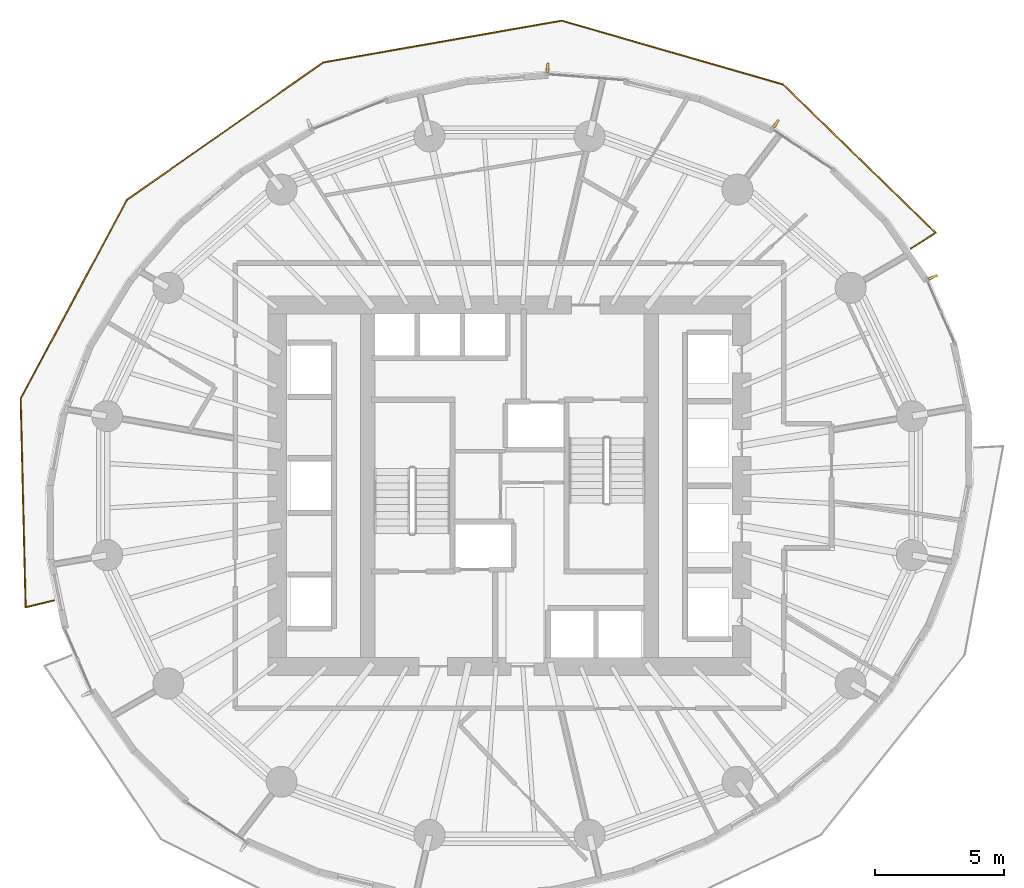
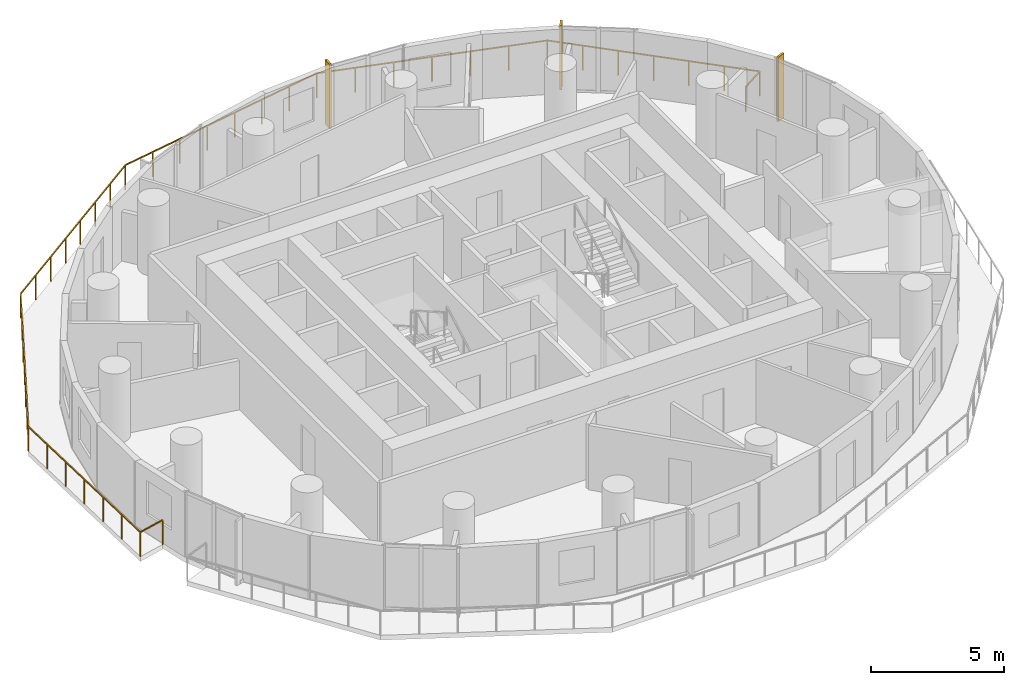
# One storey, part 14 of 14: 3 shading devices, 1 railing.
"""IFC4 building model written with IfcOpenShell, lengths in metres."""

from ifc_helpers import new_model, si_unit, direction, frame, origin, origin_2d, place, context, subcontext, project, spatial, rectangle, extrude, material, layer, layer_set, type_object, element, save


model = new_model("IFC4")

# Units and contexts
model_context = context("Model", 3, precision=1e-05, world=origin(), true_north=direction((0.0, 1.0)))
body_context = subcontext(model_context, "Body", "Model", "MODEL_VIEW")
ifc_project = project(units=[si_unit("LENGTHUNIT", "METRE"), si_unit("AREAUNIT", "SQUARE_METRE"), si_unit("VOLUMEUNIT", "CUBIC_METRE"), si_unit("PLANEANGLEUNIT", "RADIAN"), si_unit("MASSUNIT", "GRAM", prefix="KILO")], contexts=[model_context])

# Site, building, storey
site_placement = place(None, origin())
site = spatial("IfcSite", under=ifc_project, at=site_placement, CompositionType="ELEMENT")
building_placement = place(site_placement, origin())
building = spatial("IfcBuilding", under=site, at=building_placement, Name="Veldorim Arch Residences", CompositionType="ELEMENT")
storey_placement = place(building_placement, frame((0.0, 0.0, 77.280029296875)))
storey = spatial("IfcBuildingStorey", under=building, at=storey_placement, Name="L22", CompositionType="ELEMENT", Elevation=77.280029296875)

# Railing
ifc_material_1 = material(Name="Aluminium", Category="aluminium")
railing_type = type_object("IfcRailingType", Name="Balcony & Terrace Laminated Glass Balustrade 1150", PredefinedType="BALUSTRADE", material=ifc_material_1)
railing_placement = place(storey_placement, frame((47.544677734375, 33.18017578125, 0.0)))
element("IfcRailing", 1, at=railing_placement, inside=storey, type_object=railing_type, Name="L22 crescent balcony safety balustrade A", PredefinedType="BALUSTRADE", context=body_context, shape_type="SweptSolid", body=[
    extrude(rectangle(XDim=0.048095703125, YDim=0.048095703125, at=origin_2d()), frame((0.0, 0.0, 1.1259765625), z_axis=(0.843906173426, 0.536490792515, 0.0), x_axis=(-0.536490792515, 0.843906173426, 0.0)), (0.0, 0.0, 1.0), 1.14990234375),
    extrude(rectangle(XDim=0.048095703125, YDim=0.048095703125, at=origin_2d()), frame((0.970458984375, 0.616943359375, 1.1259765625), z_axis=(-0.716218195239, 0.697876419439, 0.0), x_axis=(-0.697876419439, -0.716218195239, 0.0)), (0.0, 0.0, 1.0), 8.2392578125),
    extrude(rectangle(XDim=0.048095703125, YDim=0.048095703125, at=origin_2d()), frame((-4.9306640625, 6.366943359375, 1.1259765625), z_axis=(-0.960856316669, 0.277047177781, 0.0), x_axis=(-0.277047177781, -0.960856316669, 0.0)), (0.0, 0.0, 1.0), 8.938232421875),
    extrude(rectangle(XDim=0.048095703125, YDim=0.048095703125, at=origin_2d()), frame((-13.51904296875, 8.84326171875, 1.1259765625), z_axis=(-0.985013676891, -0.172476248621, 0.0), x_axis=(0.172476248621, -0.985013676891, 0.0)), (0.0, 0.0, 1.0), 9.384765625),
    extrude(rectangle(XDim=0.048095703125, YDim=0.048095703125, at=origin_2d()), frame((-22.76318359375, 7.224609375, 1.1259765625), z_axis=(-0.819325707742, -0.57332833929, 0.0), x_axis=(0.57332833929, -0.819325707742, 0.0)), (0.0, 0.0, 1.0), 9.293212890625),
    extrude(rectangle(XDim=0.048095703125, YDim=0.048095703125, at=origin_2d()), frame((-30.37744140625, 1.896484375, 1.1259765625), z_axis=(-0.471027828297, -0.882118350886, 0.0), x_axis=(0.882118350886, -0.471027828297, 0.0)), (0.0, 0.0, 1.0), 8.733154296875),
    extrude(rectangle(XDim=0.048095703125, YDim=0.048095703125, at=origin_2d()), frame((-34.490966796875, -5.80712890625, 1.1259765625), z_axis=(0.023654874887, -0.999720184299, 0.0), x_axis=(0.999720184299, 0.023654874887, 0.0)), (0.0, 0.0, 1.0), 8.091552734375),
    extrude(rectangle(XDim=0.048095703125, YDim=0.048095703125, at=origin_2d()), frame((-34.299560546875, -13.896484375, 1.1259765625), z_axis=(0.971889862768, 0.235435967193, 0.0), x_axis=(-0.235435967193, 0.971889862768, 0.0)), (0.0, 0.0, 1.0), 1.14990234375),
    extrude(rectangle(XDim=0.0419921875, YDim=0.0419921875, at=origin_2d()), origin(), (0.0, 0.0, 1.0), 1.101806640625),
    extrude(rectangle(XDim=0.0419921875, YDim=0.0419921875, at=origin_2d()), frame((0.970458984375, 0.616943359375, 0.0)), (0.0, 0.0, 1.0), 1.101806640625),
    extrude(rectangle(XDim=0.0419921875, YDim=0.0419921875, at=origin_2d()), frame((-0.01318359375, 1.5751953125, 0.0)), (0.0, 0.0, 1.0), 1.101806640625),
    extrude(rectangle(XDim=0.0419921875, YDim=0.0419921875, at=origin_2d()), frame((-0.99658203125, 2.53369140625, 0.0)), (0.0, 0.0, 1.0), 1.101806640625),
    extrude(rectangle(XDim=0.0419921875, YDim=0.0419921875, at=origin_2d()), frame((-1.97998046875, 3.491943359375, 0.0)), (0.0, 0.0, 1.0), 1.101806640625),
    extrude(rectangle(XDim=0.0419921875, YDim=0.0419921875, at=origin_2d()), frame((-2.963623046875, 4.4501953125, 0.0)), (0.0, 0.0, 1.0), 1.101806640625),
    extrude(rectangle(XDim=0.0419921875, YDim=0.0419921875, at=origin_2d()), frame((-3.947265625, 5.40869140625, 0.0)), (0.0, 0.0, 1.0), 1.101806640625),
    extrude(rectangle(XDim=0.0419921875, YDim=0.0419921875, at=origin_2d()), frame((-4.9306640625, 6.366943359375, 0.0)), (0.0, 0.0, 1.0), 1.101806640625),
    extrude(rectangle(XDim=0.0419921875, YDim=0.0419921875, at=origin_2d()), frame((-6.362060546875, 6.77978515625, 0.0)), (0.0, 0.0, 1.0), 1.101806640625),
    extrude(rectangle(XDim=0.0419921875, YDim=0.0419921875, at=origin_2d()), frame((-7.79345703125, 7.1923828125, 0.0)), (0.0, 0.0, 1.0), 1.101806640625),
    extrude(rectangle(XDim=0.0419921875, YDim=0.0419921875, at=origin_2d()), frame((-9.224853515625, 7.60498046875, 0.0)), (0.0, 0.0, 1.0), 1.101806640625),
    extrude(rectangle(XDim=0.0419921875, YDim=0.0419921875, at=origin_2d()), frame((-10.65625, 8.017822265625, 0.0)), (0.0, 0.0, 1.0), 1.101806640625),
    extrude(rectangle(XDim=0.0419921875, YDim=0.0419921875, at=origin_2d()), frame((-12.087646484375, 8.4306640625, 0.0)), (0.0, 0.0, 1.0), 1.101806640625),
    extrude(rectangle(XDim=0.0419921875, YDim=0.0419921875, at=origin_2d()), frame((-13.51904296875, 8.84326171875, 0.0)), (0.0, 0.0, 1.0), 1.101806640625),
    extrude(rectangle(XDim=0.0419921875, YDim=0.0419921875, at=origin_2d()), frame((-14.839599609375, 8.612060546875, 0.0)), (0.0, 0.0, 1.0), 1.101806640625),
    extrude(rectangle(XDim=0.0419921875, YDim=0.0419921875, at=origin_2d()), frame((-16.16015625, 8.380859375, 0.0)), (0.0, 0.0, 1.0), 1.101806640625),
    extrude(rectangle(XDim=0.0419921875, YDim=0.0419921875, at=origin_2d()), frame((-17.480712890625, 8.149658203125, 0.0)), (0.0, 0.0, 1.0), 1.101806640625),
    extrude(rectangle(XDim=0.0419921875, YDim=0.0419921875, at=origin_2d()), frame((-18.801513671875, 7.918212890625, 0.0)), (0.0, 0.0, 1.0), 1.101806640625),
    extrude(rectangle(XDim=0.0419921875, YDim=0.0419921875, at=origin_2d()), frame((-20.1220703125, 7.68701171875, 0.0)), (0.0, 0.0, 1.0), 1.101806640625),
    extrude(rectangle(XDim=0.0419921875, YDim=0.0419921875, at=origin_2d()), frame((-21.442626953125, 7.455810546875, 0.0)), (0.0, 0.0, 1.0), 1.101806640625),
    extrude(rectangle(XDim=0.0419921875, YDim=0.0419921875, at=origin_2d()), frame((-22.76318359375, 7.224609375, 0.0)), (0.0, 0.0, 1.0), 1.101806640625),
    extrude(rectangle(XDim=0.0419921875, YDim=0.0419921875, at=origin_2d()), frame((-23.850830078125, 6.46337890625, 0.0)), (0.0, 0.0, 1.0), 1.101806640625),
    extrude(rectangle(XDim=0.0419921875, YDim=0.0419921875, at=origin_2d()), frame((-24.938720703125, 5.702392578125, 0.0)), (0.0, 0.0, 1.0), 1.101806640625),
    extrude(rectangle(XDim=0.0419921875, YDim=0.0419921875, at=origin_2d()), frame((-26.0263671875, 4.941162109375, 0.0)), (0.0, 0.0, 1.0), 1.101806640625),
    extrude(rectangle(XDim=0.0419921875, YDim=0.0419921875, at=origin_2d()), frame((-27.1142578125, 4.179931640625, 0.0)), (0.0, 0.0, 1.0), 1.101806640625),
    extrude(rectangle(XDim=0.0419921875, YDim=0.0419921875, at=origin_2d()), frame((-28.201904296875, 3.418701171875, 0.0)), (0.0, 0.0, 1.0), 1.101806640625),
    extrude(rectangle(XDim=0.0419921875, YDim=0.0419921875, at=origin_2d()), frame((-29.289794921875, 2.65771484375, 0.0)), (0.0, 0.0, 1.0), 1.101806640625),
    extrude(rectangle(XDim=0.0419921875, YDim=0.0419921875, at=origin_2d()), frame((-30.37744140625, 1.896484375, 0.0)), (0.0, 0.0, 1.0), 1.101806640625),
    extrude(rectangle(XDim=0.0419921875, YDim=0.0419921875, at=origin_2d()), frame((-31.06298828125, 0.612548828125, 0.0)), (0.0, 0.0, 1.0), 1.101806640625),
    extrude(rectangle(XDim=0.0419921875, YDim=0.0419921875, at=origin_2d()), frame((-31.74853515625, -0.67138671875, 0.0)), (0.0, 0.0, 1.0), 1.101806640625),
    extrude(rectangle(XDim=0.0419921875, YDim=0.0419921875, at=origin_2d()), frame((-32.43408203125, -1.955322265625, 0.0)), (0.0, 0.0, 1.0), 1.101806640625),
    extrude(rectangle(XDim=0.0419921875, YDim=0.0419921875, at=origin_2d()), frame((-33.119873046875, -3.2392578125, 0.0)), (0.0, 0.0, 1.0), 1.101806640625),
    extrude(rectangle(XDim=0.0419921875, YDim=0.0419921875, at=origin_2d()), frame((-33.805419921875, -4.523193359375, 0.0)), (0.0, 0.0, 1.0), 1.101806640625),
    extrude(rectangle(XDim=0.0419921875, YDim=0.0419921875, at=origin_2d()), frame((-34.490966796875, -5.80712890625, 0.0)), (0.0, 0.0, 1.0), 1.101806640625),
    extrude(rectangle(XDim=0.0419921875, YDim=0.0419921875, at=origin_2d()), frame((-34.458984375, -7.1552734375, 0.0)), (0.0, 0.0, 1.0), 1.101806640625),
    extrude(rectangle(XDim=0.0419921875, YDim=0.0419921875, at=origin_2d()), frame((-34.42724609375, -8.503662109375, 0.0)), (0.0, 0.0, 1.0), 1.101806640625),
    extrude(rectangle(XDim=0.0419921875, YDim=0.0419921875, at=origin_2d()), frame((-34.395263671875, -9.851806640625, 0.0)), (0.0, 0.0, 1.0), 1.101806640625),
    extrude(rectangle(XDim=0.0419921875, YDim=0.0419921875, at=origin_2d()), frame((-34.36328125, -11.199951171875, 0.0)), (0.0, 0.0, 1.0), 1.101806640625),
    extrude(rectangle(XDim=0.0419921875, YDim=0.0419921875, at=origin_2d()), frame((-34.33154296875, -12.54833984375, 0.0)), (0.0, 0.0, 1.0), 1.101806640625),
    extrude(rectangle(XDim=0.0419921875, YDim=0.0419921875, at=origin_2d()), frame((-34.299560546875, -13.896484375, 0.0)), (0.0, 0.0, 1.0), 1.101806640625),
    extrude(rectangle(XDim=0.0419921875, YDim=0.0419921875, at=origin_2d()), frame((-33.181884765625, -13.625732421875, 0.0)), (0.0, 0.0, 1.0), 1.101806640625),
])

# Shading devices
ifc_material_2 = material(Name="Terracotta Ceramic", Category="masonry")
ifc_layer = layer(ifc_material_2, 0.090087890625, Name="Vertical Extruded Terracotta Baguette Sun-Shading Fin")
ifc_layer_set = layer_set([ifc_layer], Name="Terracotta Ceramic")
shading_device_type = type_object("IfcShadingDeviceType", Name="Vertical Extruded Terracotta Baguette Sun-Shading Fin", PredefinedType="USERDEFINED", material=ifc_layer_set)
for number, where, z_axis, x_axis, name in (
    (2, (48.416015625, 32.082763671875, 0.0), (0.0, 0.0, 1.0), (0.396987706187, -0.917823927089, 0.0), "L22 vertical terracotta sun-shading fin 01"),
    (3, (42.328369140625, 38.025146484375, 0.0), (0.0, 0.0, 1.0), (0.834174701276, -0.551500288078, 0.0), "L22 vertical terracotta sun-shading fin 04"),
    (4, (33.478271484375, 40.19970703125, 0.0), (0.0, 0.0, 1.0), (0.997052752227, -0.076719028127, 0.0), "L22 vertical terracotta sun-shading fin 07"),
):
    element("IfcShadingDevice", number, at=place(storey_placement, frame(where, z_axis=z_axis, x_axis=x_axis)), inside=storey, type_object=shading_device_type, Name=name, ObjectType="FIN", PredefinedType="USERDEFINED", context=body_context, shape_type="SweptSolid", body=[
        extrude(rectangle(XDim=0.090087890625, YDim=0.360107421875, at=origin_2d()), origin(), (0.0, 0.0, 1.0), 2.9599609375),
    ])

save(model, "model.ifc")
